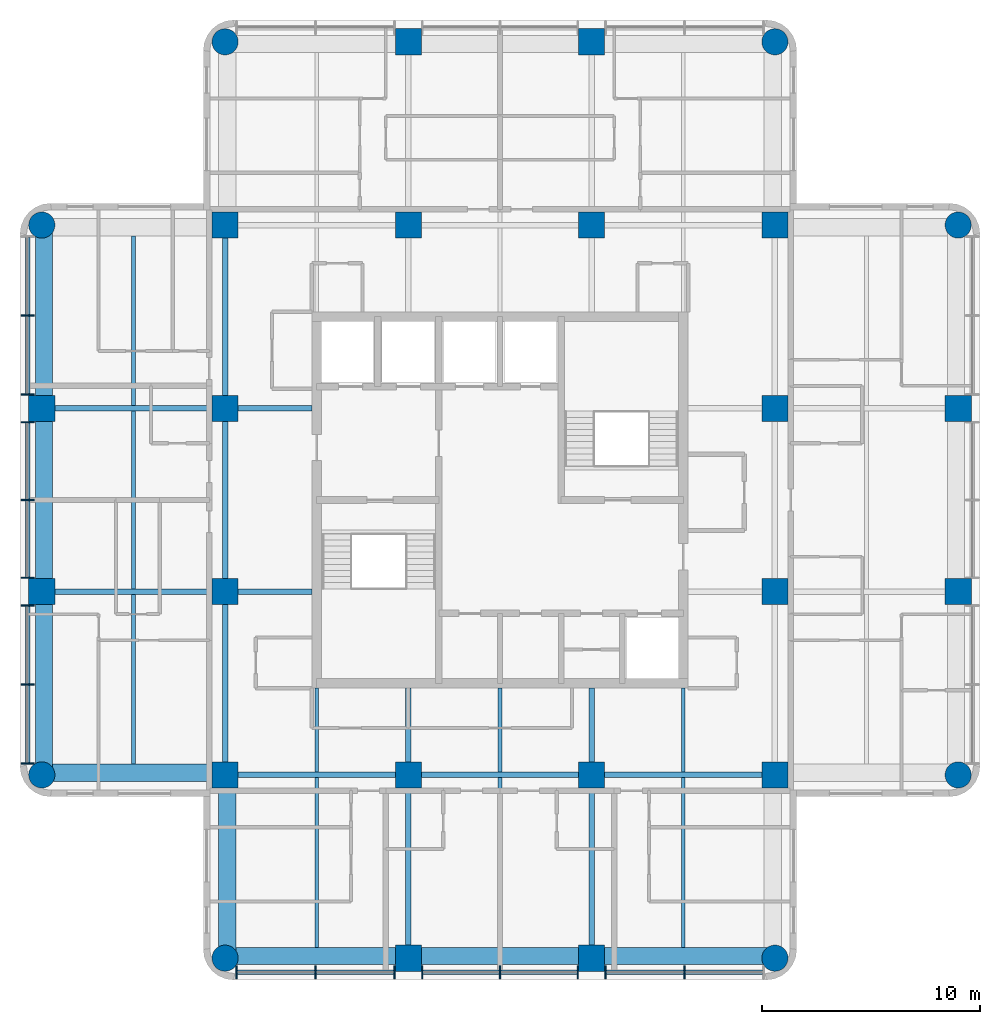
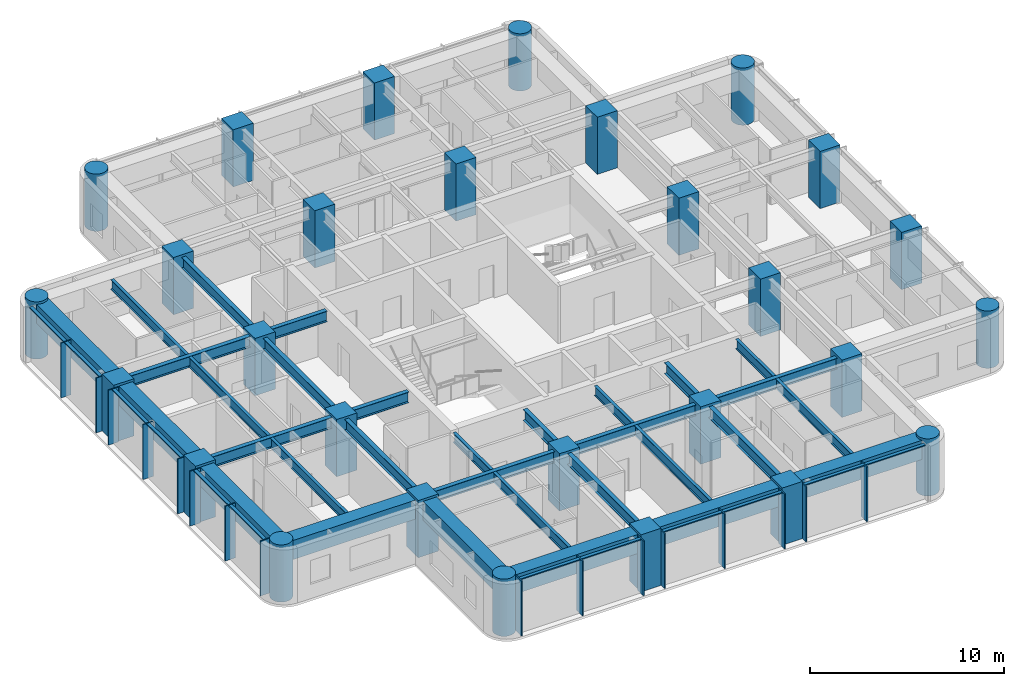
# One storey, part 1 of 10: 31 beams, 28 columns, 28 members, 2 elements without a shape of their own.
"""IFC4 building model written with IfcOpenShell, lengths in metres."""

from ifc_helpers import new_model, si_unit, direction, frame, origin, origin_2d, place, context, subcontext, project, spatial, rectangle, circle, i_section, extrude, material, material_profile, profile_set, type_object, element, aggregate, save


model = new_model("IFC4")

# Units and contexts
model_context = context("Model", 3, precision=1e-05, world=origin(), true_north=direction((0.0, 1.0)))
body_context = subcontext(model_context, "Body", "Model", "MODEL_VIEW")
ifc_project = project(units=[si_unit("LENGTHUNIT", "METRE"), si_unit("AREAUNIT", "SQUARE_METRE"), si_unit("VOLUMEUNIT", "CUBIC_METRE"), si_unit("PLANEANGLEUNIT", "RADIAN"), si_unit("MASSUNIT", "GRAM", prefix="KILO")], contexts=[model_context])

# Site, building, storey
site_placement = place(None, origin())
site = spatial("IfcSite", under=ifc_project, at=site_placement, CompositionType="ELEMENT")
building_placement = place(site_placement, origin())
building = spatial("IfcBuilding", under=site, at=building_placement, Name="Torre Alcanfor", CompositionType="ELEMENT")
storey_placement = place(building_placement, frame((0.0, 0.0, 286.5)))
storey = spatial("IfcBuildingStorey", under=building, at=storey_placement, Name="L75", CompositionType="ELEMENT", Elevation=286.5)

# Columns
ifc_material_1 = material(Name="Concrete f'c 70 MPa", Category="concrete")
ifc_material_profile_1 = material_profile(ifc_material_1, rectangle(XDim=1.199951171875, YDim=1.199951171875, at=origin_2d()), Name="1200x1200")
ifc_profile_set_1 = profile_set([ifc_material_profile_1], Name="Concrete f'c 70 MPa")
column_type_1 = type_object("IfcColumnType", Name="RC column 1200x1200 f'c70", PredefinedType="COLUMN", material=ifc_profile_set_1)
for number, where, z_axis, x_axis, name in (
    (1, (8.39990234375, 25.199951171875, 0.0), (0.0, 0.0, 1.0), (1.0, 0.0, 0.0), "Column 2/F L75"),
    (2, (8.39990234375, 33.60009765625, 0.0), (0.0, 0.0, 1.0), (1.0, 0.0, 0.0), "Column 2/G L75"),
    (3, (16.800048828125, 16.800048828125, 0.0), (0.0, 0.0, 1.0), (1.0, 0.0, 0.0), "Column 3/E L75"),
    (4, (16.800048828125, 25.199951171875, 0.0), (0.0, 0.0, 1.0), (1.0, 0.0, 0.0), "Column 3/F L75"),
    (5, (16.800048828125, 33.60009765625, 0.0), (0.0, 0.0, 1.0), (1.0, 0.0, 0.0), "Column 3/G L75"),
    (6, (16.800048828125, 42.0, 0.0), (0.0, 0.0, 1.0), (1.0, 0.0, 0.0), "Column 3/H L75"),
    (7, (25.199951171875, 8.39990234375, 0.0), (0.0, 0.0, 1.0), (1.0, 0.0, 0.0), "Column 4/D L75"),
    (8, (25.199951171875, 16.800048828125, 0.0), (0.0, 0.0, 1.0), (1.0, 0.0, 0.0), "Column 4/E L75"),
    (9, (25.199951171875, 42.0, 0.0), (0.0, 0.0, 1.0), (1.0, 0.0, 0.0), "Column 4/H L75"),
    (10, (25.199951171875, 50.39990234375, 0.0), (0.0, 0.0, 1.0), (1.0, 0.0, 0.0), "Column 4/J L75"),
    (11, (33.60009765625, 8.39990234375, 0.0), (0.0, 0.0, 1.0), (1.0, 0.0, 0.0), "Column 5/D L75"),
    (12, (33.60009765625, 16.800048828125, 0.0), (0.0, 0.0, 1.0), (1.0, 0.0, 0.0), "Column 5/E L75"),
    (13, (33.60009765625, 42.0, 0.0), (0.0, 0.0, 1.0), (1.0, 0.0, 0.0), "Column 5/H L75"),
    (14, (33.60009765625, 50.39990234375, 0.0), (0.0, 0.0, 1.0), (1.0, 0.0, 0.0), "Column 5/J L75"),
    (15, (42.0, 16.800048828125, 0.0), (0.0, 0.0, 1.0), (1.0, 0.0, 0.0), "Column 6/E L75"),
    (16, (42.0, 25.199951171875, 0.0), (0.0, 0.0, 1.0), (1.0, 0.0, 0.0), "Column 6/F L75"),
    (17, (42.0, 33.60009765625, 0.0), (0.0, 0.0, 1.0), (1.0, 0.0, 0.0), "Column 6/G L75"),
    (18, (42.0, 42.0, 0.0), (0.0, 0.0, 1.0), (1.0, 0.0, 0.0), "Column 6/H L75"),
    (19, (50.39990234375, 25.199951171875, 0.0), (0.0, 0.0, 1.0), (1.0, 0.0, 0.0), "Column 7/F L75"),
    (20, (50.39990234375, 33.60009765625, 0.0), (0.0, 0.0, 1.0), (1.0, 0.0, 0.0), "Column 7/G L75"),
):
    element("IfcColumn", number, at=place(storey_placement, frame(where, z_axis=z_axis, x_axis=x_axis)), inside=storey, type_object=column_type_1, Name=name, PredefinedType="COLUMN", context=body_context, shape_type="SweptSolid", body=[
        extrude(rectangle(XDim=1.199951171875, YDim=1.199951171875, at=origin_2d()), origin(), (0.0, 0.0, 1.0), 3.60009765625),
    ])
ifc_material_2 = material(Name="Concrete f'c 70 MPa", Category="concrete")
ifc_material_profile_2 = material_profile(ifc_material_2, circle(Radius=0.60009765625, at=origin_2d()), Name="D1200")
ifc_profile_set_2 = profile_set([ifc_material_profile_2], Name="Concrete f'c 70 MPa")
column_type_2 = type_object("IfcColumnType", Name="RC column D1200 f'c70", PredefinedType="COLUMN", material=ifc_profile_set_2)
for number, where, z_axis, x_axis, name in (
    (21, (8.39990234375, 16.800048828125, 0.0), (0.0, 0.0, 1.0), (1.0, 0.0, 0.0), "Column 2/E L75"),
    (22, (8.39990234375, 42.0, 0.0), (0.0, 0.0, 1.0), (1.0, 0.0, 0.0), "Column 2/H L75"),
    (23, (16.800048828125, 8.39990234375, 0.0), (0.0, 0.0, 1.0), (1.0, 0.0, 0.0), "Column 3/D L75"),
    (24, (16.800048828125, 50.39990234375, 0.0), (0.0, 0.0, 1.0), (1.0, 0.0, 0.0), "Column 3/J L75"),
    (25, (42.0, 8.39990234375, 0.0), (0.0, 0.0, 1.0), (1.0, 0.0, 0.0), "Column 6/D L75"),
    (26, (42.0, 50.39990234375, 0.0), (0.0, 0.0, 1.0), (1.0, 0.0, 0.0), "Column 6/J L75"),
    (27, (50.39990234375, 16.800048828125, 0.0), (0.0, 0.0, 1.0), (1.0, 0.0, 0.0), "Column 7/E L75"),
    (28, (50.39990234375, 42.0, 0.0), (0.0, 0.0, 1.0), (1.0, 0.0, 0.0), "Column 7/H L75"),
):
    element("IfcColumn", number, at=place(storey_placement, frame(where, z_axis=z_axis, x_axis=x_axis)), inside=storey, type_object=column_type_2, Name=name, PredefinedType="COLUMN", context=body_context, shape_type="SweptSolid", body=[
        extrude(circle(Radius=0.60009765625, at=origin_2d()), origin(), (0.0, 0.0, 1.0), 3.60009765625),
    ])

# Curtain wall, members
ifc_material_3 = material(Name="Aluminium and glass", Category="aluminium")
curtain_wall_type = type_object("IfcCurtainWallType", Name="CW-A unitised apartment glazing with vertical FIN", PredefinedType="NOTDEFINED", material=ifc_material_3)
curtain_wall_1_placement = place(storey_placement, origin())
curtain_wall_1 = element("IfcCurtainWall", 29, at=curtain_wall_1_placement, inside=storey, type_object=curtain_wall_type, Name="Curtain wall CW-A L75 2", PredefinedType="NOTDEFINED")
ifc_material_4 = material(Name="Bronze anodised aluminium", Category="aluminium")
ifc_material_profile_3 = material_profile(ifc_material_4, rectangle(XDim=0.60009765625, YDim=0.06494140625, at=origin_2d()), Name="CW-A mullion 65x600")
ifc_profile_set_3 = profile_set([ifc_material_profile_3], Name="Bronze anodised aluminium")
member_type_1 = type_object("IfcMemberType", Name="CW-A mullion with vertical FIN 65x600", PredefinedType="MULLION", material=ifc_profile_set_3)
member_1_placement = place(storey_placement, frame((7.75, 37.855712890625, 0.0), z_axis=(0.0, 0.0, 1.0), x_axis=(1.0, 0.0, 0.0)))
member_1 = element("IfcMember", 30, at=member_1_placement, type_object=member_type_1, Name="CW-A mullion 1.2", PredefinedType="MULLION", context=body_context, shape_type="SweptSolid", body=[
    extrude(rectangle(XDim=0.60009765625, YDim=0.06494140625, at=origin_2d()), origin(), (0.0, 0.0, 1.0), 3.449951171875),
])
member_2_placement = place(storey_placement, frame((7.75, 34.237548828125, 0.0), z_axis=(0.0, 0.0, 1.0), x_axis=(1.0, 0.0, 0.0)))
member_2 = element("IfcMember", 31, at=member_2_placement, type_object=member_type_1, Name="CW-A mullion 1.3", PredefinedType="MULLION", context=body_context, shape_type="SweptSolid", body=[
    extrude(rectangle(XDim=0.60009765625, YDim=0.06494140625, at=origin_2d()), origin(), (0.0, 0.0, 1.0), 3.449951171875),
])
member_3_placement = place(storey_placement, frame((7.75, 32.96240234375, 0.0), z_axis=(0.0, 0.0, 1.0), x_axis=(1.0, 0.0, 0.0)))
member_3 = element("IfcMember", 32, at=member_3_placement, type_object=member_type_1, Name="CW-A mullion 2.1", PredefinedType="MULLION", context=body_context, shape_type="SweptSolid", body=[
    extrude(rectangle(XDim=0.60009765625, YDim=0.06494140625, at=origin_2d()), origin(), (0.0, 0.0, 1.0), 3.449951171875),
])
member_4_placement = place(storey_placement, frame((7.75, 29.39990234375, 0.0), z_axis=(0.0, 0.0, 1.0), x_axis=(1.0, 0.0, 0.0)))
member_4 = element("IfcMember", 33, at=member_4_placement, type_object=member_type_1, Name="CW-A mullion 2.2", PredefinedType="MULLION", context=body_context, shape_type="SweptSolid", body=[
    extrude(rectangle(XDim=0.60009765625, YDim=0.06494140625, at=origin_2d()), origin(), (0.0, 0.0, 1.0), 3.449951171875),
])
member_5_placement = place(storey_placement, frame((7.75, 25.83740234375, 0.0), z_axis=(0.0, 0.0, 1.0), x_axis=(1.0, 0.0, 0.0)))
member_5 = element("IfcMember", 34, at=member_5_placement, type_object=member_type_1, Name="CW-A mullion 2.3", PredefinedType="MULLION", context=body_context, shape_type="SweptSolid", body=[
    extrude(rectangle(XDim=0.60009765625, YDim=0.06494140625, at=origin_2d()), origin(), (0.0, 0.0, 1.0), 3.449951171875),
])
member_6_placement = place(storey_placement, frame((7.75, 24.5625, 0.0), z_axis=(0.0, 0.0, 1.0), x_axis=(1.0, 0.0, 0.0)))
member_6 = element("IfcMember", 35, at=member_6_placement, type_object=member_type_1, Name="CW-A mullion 3.1", PredefinedType="MULLION", context=body_context, shape_type="SweptSolid", body=[
    extrude(rectangle(XDim=0.60009765625, YDim=0.06494140625, at=origin_2d()), origin(), (0.0, 0.0, 1.0), 3.449951171875),
])
member_7_placement = place(storey_placement, frame((7.75, 20.9443359375, 0.0), z_axis=(0.0, 0.0, 1.0), x_axis=(1.0, 0.0, 0.0)))
member_7 = element("IfcMember", 36, at=member_7_placement, type_object=member_type_1, Name="CW-A mullion 3.2", PredefinedType="MULLION", context=body_context, shape_type="SweptSolid", body=[
    extrude(rectangle(XDim=0.60009765625, YDim=0.06494140625, at=origin_2d()), origin(), (0.0, 0.0, 1.0), 3.449951171875),
])
member_8_placement = place(storey_placement, frame((7.75, 17.325927734375, 0.0), z_axis=(0.0, 0.0, 1.0), x_axis=(1.0, 0.0, 0.0)))
member_8 = element("IfcMember", 37, at=member_8_placement, type_object=member_type_1, Name="CW-A mullion 3.3", PredefinedType="MULLION", context=body_context, shape_type="SweptSolid", body=[
    extrude(rectangle(XDim=0.60009765625, YDim=0.06494140625, at=origin_2d()), origin(), (0.0, 0.0, 1.0), 3.449951171875),
])

curtain_wall_2_placement = place(storey_placement, origin())
curtain_wall_2 = element("IfcCurtainWall", 38, at=curtain_wall_2_placement, inside=storey, type_object=curtain_wall_type, Name="Curtain wall CW-A L75 5", PredefinedType="NOTDEFINED")
member_9_placement = place(storey_placement, frame((17.325927734375, 7.75, 0.0), z_axis=(0.0, 0.0, 1.0), x_axis=(0.0, 1.0, 0.0)))
member_9 = element("IfcMember", 39, at=member_9_placement, type_object=member_type_1, Name="CW-A mullion 1.1", PredefinedType="MULLION", context=body_context, shape_type="SweptSolid", body=[
    extrude(rectangle(XDim=0.60009765625, YDim=0.06494140625, at=origin_2d()), origin(), (0.0, 0.0, 1.0), 3.449951171875),
])
member_10_placement = place(storey_placement, frame((20.9443359375, 7.75, 0.0), z_axis=(0.0, 0.0, 1.0), x_axis=(0.0, 1.0, 0.0)))
member_10 = element("IfcMember", 40, at=member_10_placement, type_object=member_type_1, Name="CW-A mullion 1.2", PredefinedType="MULLION", context=body_context, shape_type="SweptSolid", body=[
    extrude(rectangle(XDim=0.60009765625, YDim=0.06494140625, at=origin_2d()), origin(), (0.0, 0.0, 1.0), 3.449951171875),
])
member_11_placement = place(storey_placement, frame((24.5625, 7.75, 0.0), z_axis=(0.0, 0.0, 1.0), x_axis=(0.0, 1.0, 0.0)))
member_11 = element("IfcMember", 41, at=member_11_placement, type_object=member_type_1, Name="CW-A mullion 1.3", PredefinedType="MULLION", context=body_context, shape_type="SweptSolid", body=[
    extrude(rectangle(XDim=0.60009765625, YDim=0.06494140625, at=origin_2d()), origin(), (0.0, 0.0, 1.0), 3.449951171875),
])
member_12_placement = place(storey_placement, frame((25.83740234375, 7.75, 0.0), z_axis=(0.0, 0.0, 1.0), x_axis=(0.0, 1.0, 0.0)))
member_12 = element("IfcMember", 42, at=member_12_placement, type_object=member_type_1, Name="CW-A mullion 2.1", PredefinedType="MULLION", context=body_context, shape_type="SweptSolid", body=[
    extrude(rectangle(XDim=0.60009765625, YDim=0.06494140625, at=origin_2d()), origin(), (0.0, 0.0, 1.0), 3.449951171875),
])
member_13_placement = place(storey_placement, frame((29.39990234375, 7.75, 0.0), z_axis=(0.0, 0.0, 1.0), x_axis=(0.0, 1.0, 0.0)))
member_13 = element("IfcMember", 43, at=member_13_placement, type_object=member_type_1, Name="CW-A mullion 2.2", PredefinedType="MULLION", context=body_context, shape_type="SweptSolid", body=[
    extrude(rectangle(XDim=0.60009765625, YDim=0.06494140625, at=origin_2d()), origin(), (0.0, 0.0, 1.0), 3.449951171875),
])
member_14_placement = place(storey_placement, frame((32.96240234375, 7.75, 0.0), z_axis=(0.0, 0.0, 1.0), x_axis=(0.0, 1.0, 0.0)))
member_14 = element("IfcMember", 44, at=member_14_placement, type_object=member_type_1, Name="CW-A mullion 2.3", PredefinedType="MULLION", context=body_context, shape_type="SweptSolid", body=[
    extrude(rectangle(XDim=0.60009765625, YDim=0.06494140625, at=origin_2d()), origin(), (0.0, 0.0, 1.0), 3.449951171875),
])
member_15_placement = place(storey_placement, frame((34.237548828125, 7.75, 0.0), z_axis=(0.0, 0.0, 1.0), x_axis=(0.0, 1.0, 0.0)))
member_15 = element("IfcMember", 45, at=member_15_placement, type_object=member_type_1, Name="CW-A mullion 3.1", PredefinedType="MULLION", context=body_context, shape_type="SweptSolid", body=[
    extrude(rectangle(XDim=0.60009765625, YDim=0.06494140625, at=origin_2d()), origin(), (0.0, 0.0, 1.0), 3.449951171875),
])
member_16_placement = place(storey_placement, frame((37.855712890625, 7.75, 0.0), z_axis=(0.0, 0.0, 1.0), x_axis=(0.0, 1.0, 0.0)))
member_16 = element("IfcMember", 46, at=member_16_placement, type_object=member_type_1, Name="CW-A mullion 3.2", PredefinedType="MULLION", context=body_context, shape_type="SweptSolid", body=[
    extrude(rectangle(XDim=0.60009765625, YDim=0.06494140625, at=origin_2d()), origin(), (0.0, 0.0, 1.0), 3.449951171875),
])

# Member
ifc_material_5 = material(Name="Extruded aluminium", Category="aluminium")
ifc_material_profile_4 = material_profile(ifc_material_5, rectangle(XDim=0.199951171875, YDim=0.06494140625, at=origin_2d()), Name="CW-A transom 200x65")
ifc_profile_set_4 = profile_set([ifc_material_profile_4], Name="Extruded aluminium")
member_type_2 = type_object("IfcMemberType", Name="CW-A transom 65x200", PredefinedType="USERDEFINED", material=ifc_profile_set_4)
member_17_placement = place(storey_placement, frame((7.75, 41.44140625, 3.41748046875), z_axis=(0.0, -1.0, 0.0), x_axis=(1.0, 0.0, 0.0)))
member_17 = element("IfcMember", 47, at=member_17_placement, type_object=member_type_2, Name="CW-A transom 1.1.2", ObjectType="TRANSOM", PredefinedType="USERDEFINED", context=body_context, shape_type="SweptSolid", body=[
    extrude(rectangle(XDim=0.199951171875, YDim=0.06494140625, at=origin_2d()), origin(), (0.0, 0.0, 1.0), 3.55322265625),
])

member_18_placement = place(storey_placement, frame((7.75, 37.8232421875, 3.41748046875), z_axis=(0.0, -1.0, 0.0), x_axis=(1.0, 0.0, 0.0)))
member_18 = element("IfcMember", 48, at=member_18_placement, type_object=member_type_2, Name="CW-A transom 1.2.2", ObjectType="TRANSOM", PredefinedType="USERDEFINED", context=body_context, shape_type="SweptSolid", body=[
    extrude(rectangle(XDim=0.199951171875, YDim=0.06494140625, at=origin_2d()), origin(), (0.0, 0.0, 1.0), 3.55322265625),
])

member_19_placement = place(storey_placement, frame((7.75, 32.929931640625, 3.41748046875), z_axis=(0.0, -1.0, 0.0), x_axis=(1.0, 0.0, 0.0)))
member_19 = element("IfcMember", 49, at=member_19_placement, type_object=member_type_2, Name="CW-A transom 2.1.2", ObjectType="TRANSOM", PredefinedType="USERDEFINED", context=body_context, shape_type="SweptSolid", body=[
    extrude(rectangle(XDim=0.199951171875, YDim=0.06494140625, at=origin_2d()), origin(), (0.0, 0.0, 1.0), 3.497314453125),
])

member_20_placement = place(storey_placement, frame((7.75, 29.367431640625, 3.41748046875), z_axis=(0.0, -1.0, 0.0), x_axis=(1.0, 0.0, 0.0)))
member_20 = element("IfcMember", 50, at=member_20_placement, type_object=member_type_2, Name="CW-A transom 2.2.2", ObjectType="TRANSOM", PredefinedType="USERDEFINED", context=body_context, shape_type="SweptSolid", body=[
    extrude(rectangle(XDim=0.199951171875, YDim=0.06494140625, at=origin_2d()), origin(), (0.0, 0.0, 1.0), 3.497314453125),
])

member_21_placement = place(storey_placement, frame((7.75, 24.530029296875, 3.41748046875), z_axis=(0.0, -1.0, 0.0), x_axis=(1.0, 0.0, 0.0)))
member_21 = element("IfcMember", 51, at=member_21_placement, type_object=member_type_2, Name="CW-A transom 3.1.2", ObjectType="TRANSOM", PredefinedType="USERDEFINED", context=body_context, shape_type="SweptSolid", body=[
    extrude(rectangle(XDim=0.199951171875, YDim=0.06494140625, at=origin_2d()), origin(), (0.0, 0.0, 1.0), 3.55322265625),
])

member_22_placement = place(storey_placement, frame((7.75, 20.911865234375, 3.41748046875), z_axis=(0.0, -1.0, 0.0), x_axis=(1.0, 0.0, 0.0)))
member_22 = element("IfcMember", 52, at=member_22_placement, type_object=member_type_2, Name="CW-A transom 3.2.2", ObjectType="TRANSOM", PredefinedType="USERDEFINED", context=body_context, shape_type="SweptSolid", body=[
    extrude(rectangle(XDim=0.199951171875, YDim=0.06494140625, at=origin_2d()), origin(), (0.0, 0.0, 1.0), 3.553466796875),
])

aggregate(curtain_wall_1, [member_1, member_2, member_17, member_18, member_3, member_4, member_5, member_19, member_20, member_6, member_7, member_8, member_21, member_22])

member_23_placement = place(storey_placement, frame((17.3583984375, 7.75, 3.41748046875), z_axis=(1.0, 0.0, 0.0), x_axis=(0.0, 1.0, 0.0)))
member_23 = element("IfcMember", 53, at=member_23_placement, type_object=member_type_2, Name="CW-A transom 1.1.2", ObjectType="TRANSOM", PredefinedType="USERDEFINED", context=body_context, shape_type="SweptSolid", body=[
    extrude(rectangle(XDim=0.199951171875, YDim=0.06494140625, at=origin_2d()), origin(), (0.0, 0.0, 1.0), 3.553466796875),
])

member_24_placement = place(storey_placement, frame((20.976806640625, 7.75, 3.41748046875), z_axis=(1.0, 0.0, 0.0), x_axis=(0.0, 1.0, 0.0)))
member_24 = element("IfcMember", 54, at=member_24_placement, type_object=member_type_2, Name="CW-A transom 1.2.2", ObjectType="TRANSOM", PredefinedType="USERDEFINED", context=body_context, shape_type="SweptSolid", body=[
    extrude(rectangle(XDim=0.199951171875, YDim=0.06494140625, at=origin_2d()), origin(), (0.0, 0.0, 1.0), 3.55322265625),
])

member_25_placement = place(storey_placement, frame((25.8701171875, 7.75, 3.41748046875), z_axis=(1.0, 0.0, 0.0), x_axis=(0.0, 1.0, 0.0)))
member_25 = element("IfcMember", 55, at=member_25_placement, type_object=member_type_2, Name="CW-A transom 2.1.2", ObjectType="TRANSOM", PredefinedType="USERDEFINED", context=body_context, shape_type="SweptSolid", body=[
    extrude(rectangle(XDim=0.199951171875, YDim=0.06494140625, at=origin_2d()), origin(), (0.0, 0.0, 1.0), 3.497314453125),
])

member_26_placement = place(storey_placement, frame((29.4326171875, 7.75, 3.41748046875), z_axis=(1.0, 0.0, 0.0), x_axis=(0.0, 1.0, 0.0)))
member_26 = element("IfcMember", 56, at=member_26_placement, type_object=member_type_2, Name="CW-A transom 2.2.2", ObjectType="TRANSOM", PredefinedType="USERDEFINED", context=body_context, shape_type="SweptSolid", body=[
    extrude(rectangle(XDim=0.199951171875, YDim=0.06494140625, at=origin_2d()), origin(), (0.0, 0.0, 1.0), 3.497314453125),
])

member_27_placement = place(storey_placement, frame((34.27001953125, 7.75, 3.41748046875), z_axis=(1.0, 0.0, 0.0), x_axis=(0.0, 1.0, 0.0)))
member_27 = element("IfcMember", 57, at=member_27_placement, type_object=member_type_2, Name="CW-A transom 3.1.2", ObjectType="TRANSOM", PredefinedType="USERDEFINED", context=body_context, shape_type="SweptSolid", body=[
    extrude(rectangle(XDim=0.199951171875, YDim=0.06494140625, at=origin_2d()), origin(), (0.0, 0.0, 1.0), 3.55322265625),
])

member_28_placement = place(storey_placement, frame((37.88818359375, 7.75, 3.41748046875), z_axis=(1.0, 0.0, 0.0), x_axis=(0.0, 1.0, 0.0)))
member_28 = element("IfcMember", 58, at=member_28_placement, type_object=member_type_2, Name="CW-A transom 3.2.2", ObjectType="TRANSOM", PredefinedType="USERDEFINED", context=body_context, shape_type="SweptSolid", body=[
    extrude(rectangle(XDim=0.199951171875, YDim=0.06494140625, at=origin_2d()), origin(), (0.0, 0.0, 1.0), 3.55322265625),
])

aggregate(curtain_wall_2, [member_9, member_10, member_11, member_23, member_24, member_12, member_13, member_14, member_25, member_26, member_15, member_16, member_27, member_28])

# Beams
ifc_material_6 = material(Name="Steel ASTM A992 Grade 50", Category="steel")
ifc_material_profile_5 = material_profile(ifc_material_6, i_section(OverallWidth=0.25390625, OverallDepth=0.683349609375, WebThickness=0.012451171875, FlangeThickness=0.01904296875, at=origin_2d()), Name="W27x94")
ifc_profile_set_5 = profile_set([ifc_material_profile_5], Name="Steel ASTM A992 Grade 50")
beam_type_1 = type_object("IfcBeamType", Name="Girder W27x94", PredefinedType="BEAM", material=ifc_profile_set_5)
beam_1_placement = place(storey_placement, frame((16.800048828125, 16.800048828125, 3.1083984375), z_axis=(1.0, 0.0, 0.0), x_axis=(0.0, 1.0, 0.0)))
element("IfcBeam", 59, at=beam_1_placement, inside=storey, type_object=beam_type_1, Name="Beam 3E-4E under L76", PredefinedType="BEAM", context=body_context, shape_type="SweptSolid", body=[
    extrude(i_section(OverallWidth=0.25390625, OverallDepth=0.683349609375, WebThickness=0.012451171875, FlangeThickness=0.01904296875, at=origin_2d()), origin(), (0.0, 0.0, 1.0), 8.39990234375),
])
beam_2_placement = place(storey_placement, frame((25.199951171875, 16.800048828125, 3.1083984375), z_axis=(1.0, 0.0, 0.0), x_axis=(0.0, 1.0, 0.0)))
element("IfcBeam", 60, at=beam_2_placement, inside=storey, type_object=beam_type_1, Name="Beam 4E-5E under L76", PredefinedType="BEAM", context=body_context, shape_type="SweptSolid", body=[
    extrude(i_section(OverallWidth=0.25390625, OverallDepth=0.683349609375, WebThickness=0.012451171875, FlangeThickness=0.01904296875, at=origin_2d()), origin(), (0.0, 0.0, 1.0), 8.400146484375),
])
beam_3_placement = place(storey_placement, frame((33.60009765625, 16.800048828125, 3.1083984375), z_axis=(1.0, 0.0, 0.0), x_axis=(0.0, 1.0, 0.0)))
element("IfcBeam", 61, at=beam_3_placement, inside=storey, type_object=beam_type_1, Name="Beam 5E-6E under L76", PredefinedType="BEAM", context=body_context, shape_type="SweptSolid", body=[
    extrude(i_section(OverallWidth=0.25390625, OverallDepth=0.683349609375, WebThickness=0.012451171875, FlangeThickness=0.01904296875, at=origin_2d()), origin(), (0.0, 0.0, 1.0), 8.39990234375),
])
for number, where, z_axis, x_axis, name in (
    (62, (8.39990234375, 25.199951171875, 3.1083984375), (1.0, 0.0, 0.0), (0.0, 1.0, 0.0), "Beam 2F-3F under L76"),
    (63, (8.39990234375, 33.60009765625, 3.1083984375), (1.0, 0.0, 0.0), (0.0, 1.0, 0.0), "Beam 2G-3G under L76"),
):
    element("IfcBeam", number, at=place(storey_placement, frame(where, z_axis=z_axis, x_axis=x_axis)), inside=storey, type_object=beam_type_1, Name=name, PredefinedType="BEAM", context=body_context, shape_type="SweptSolid", body=[
        extrude(i_section(OverallWidth=0.25390625, OverallDepth=0.683349609375, WebThickness=0.012451171875, FlangeThickness=0.01904296875, at=origin_2d()), origin(), (0.0, 0.0, 1.0), 8.400146484375),
    ])
beam_4_placement = place(storey_placement, frame((16.800048828125, 16.800048828125, 3.1083984375), z_axis=(0.0, 1.0, 0.0), x_axis=(-1.0, 0.0, 0.0)))
element("IfcBeam", 64, at=beam_4_placement, inside=storey, type_object=beam_type_1, Name="Beam 3E-3F under L76", PredefinedType="BEAM", context=body_context, shape_type="SweptSolid", body=[
    extrude(i_section(OverallWidth=0.25390625, OverallDepth=0.683349609375, WebThickness=0.012451171875, FlangeThickness=0.01904296875, at=origin_2d()), origin(), (0.0, 0.0, 1.0), 8.39990234375),
])
beam_5_placement = place(storey_placement, frame((16.800048828125, 25.199951171875, 3.1083984375), z_axis=(0.0, 1.0, 0.0), x_axis=(-1.0, 0.0, 0.0)))
element("IfcBeam", 65, at=beam_5_placement, inside=storey, type_object=beam_type_1, Name="Beam 3F-3G under L76", PredefinedType="BEAM", context=body_context, shape_type="SweptSolid", body=[
    extrude(i_section(OverallWidth=0.25390625, OverallDepth=0.683349609375, WebThickness=0.012451171875, FlangeThickness=0.01904296875, at=origin_2d()), origin(), (0.0, 0.0, 1.0), 8.400146484375),
])
beam_6_placement = place(storey_placement, frame((16.800048828125, 33.60009765625, 3.1083984375), z_axis=(0.0, 1.0, 0.0), x_axis=(-1.0, 0.0, 0.0)))
element("IfcBeam", 66, at=beam_6_placement, inside=storey, type_object=beam_type_1, Name="Beam 3G-3H under L76", PredefinedType="BEAM", context=body_context, shape_type="SweptSolid", body=[
    extrude(i_section(OverallWidth=0.25390625, OverallDepth=0.683349609375, WebThickness=0.012451171875, FlangeThickness=0.01904296875, at=origin_2d()), origin(), (0.0, 0.0, 1.0), 8.39990234375),
])
for number, where, z_axis, x_axis, name in (
    (67, (25.199951171875, 8.39990234375, 3.1083984375), (0.0, 1.0, 0.0), (-1.0, 0.0, 0.0), "Beam 4D-4E under L76"),
    (68, (33.60009765625, 8.39990234375, 3.1083984375), (0.0, 1.0, 0.0), (-1.0, 0.0, 0.0), "Beam 5D-5E under L76"),
):
    element("IfcBeam", number, at=place(storey_placement, frame(where, z_axis=z_axis, x_axis=x_axis)), inside=storey, type_object=beam_type_1, Name=name, PredefinedType="BEAM", context=body_context, shape_type="SweptSolid", body=[
        extrude(i_section(OverallWidth=0.25390625, OverallDepth=0.683349609375, WebThickness=0.012451171875, FlangeThickness=0.01904296875, at=origin_2d()), origin(), (0.0, 0.0, 1.0), 8.400146484375),
    ])
ifc_material_7 = material(Name="Steel ASTM A992 Grade 50", Category="steel")
ifc_material_profile_6 = material_profile(ifc_material_7, i_section(OverallWidth=0.25390625, OverallDepth=0.683349609375, WebThickness=0.012451171875, FlangeThickness=0.01904296875, at=origin_2d()), Name="W27x94")
ifc_profile_set_6 = profile_set([ifc_material_profile_6], Name="Steel ASTM A992 Grade 50")
beam_type_2 = type_object("IfcBeamType", Name="Girder, part bay W27x94", PredefinedType="BEAM", material=ifc_profile_set_6)
for number, where, z_axis, x_axis, name in (
    (69, (25.199951171875, 16.800048828125, 3.1083984375), (0.0, 1.0, 0.0), (-1.0, 0.0, 0.0), "Beam 4E-420_775 under L76"),
    (70, (33.60009765625, 16.800048828125, 3.1083984375), (0.0, 1.0, 0.0), (-1.0, 0.0, 0.0), "Beam 5E-520_775 under L76"),
    (71, (16.800048828125, 25.199951171875, 3.1083984375), (1.0, 0.0, 0.0), (0.0, 1.0, 0.0), "Beam 3F-20_775F under L76"),
    (72, (16.800048828125, 33.60009765625, 3.1083984375), (1.0, 0.0, 0.0), (0.0, 1.0, 0.0), "Beam 3G-20_775G under L76"),
):
    element("IfcBeam", number, at=place(storey_placement, frame(where, z_axis=z_axis, x_axis=x_axis)), inside=storey, type_object=beam_type_2, Name=name, PredefinedType="BEAM", context=body_context, shape_type="SweptSolid", body=[
        extrude(i_section(OverallWidth=0.25390625, OverallDepth=0.683349609375, WebThickness=0.012451171875, FlangeThickness=0.01904296875, at=origin_2d()), origin(), (0.0, 0.0, 1.0), 3.974853515625),
    ])
ifc_material_8 = material(Name="Concrete f'c 70 MPa", Category="concrete")
ifc_material_profile_7 = material_profile(ifc_material_8, rectangle(XDim=0.800048828125, YDim=1.199951171875, at=origin_2d()), Name="800x1200")
ifc_profile_set_7 = profile_set([ifc_material_profile_7], Name="Concrete f'c 70 MPa")
beam_type_3 = type_object("IfcBeamType", Name="RC perimeter beam 800x1200", PredefinedType="BEAM", material=ifc_profile_set_7)
beam_7_placement = place(storey_placement, frame((16.800048828125, 8.5, 2.85009765625), z_axis=(1.0, 0.0, 0.0), x_axis=(0.0, 1.0, 0.0)))
element("IfcBeam", 73, at=beam_7_placement, inside=storey, type_object=beam_type_3, Name="Beam 3D-4D under L76", PredefinedType="BEAM", context=body_context, shape_type="SweptSolid", body=[
    extrude(rectangle(XDim=0.800048828125, YDim=1.199951171875, at=origin_2d()), origin(), (0.0, 0.0, 1.0), 8.27294921875),
])
beam_8_placement = place(storey_placement, frame((25.326904296875, 8.5, 2.85009765625), z_axis=(1.0, 0.0, 0.0), x_axis=(0.0, 1.0, 0.0)))
element("IfcBeam", 74, at=beam_8_placement, inside=storey, type_object=beam_type_3, Name="Beam 4D-5D under L76", PredefinedType="BEAM", context=body_context, shape_type="SweptSolid", body=[
    extrude(rectangle(XDim=0.800048828125, YDim=1.199951171875, at=origin_2d()), origin(), (0.0, 0.0, 1.0), 8.14599609375),
])
beam_9_placement = place(storey_placement, frame((33.72705078125, 8.5, 2.85009765625), z_axis=(1.0, 0.0, 0.0), x_axis=(0.0, 1.0, 0.0)))
element("IfcBeam", 75, at=beam_9_placement, inside=storey, type_object=beam_type_3, Name="Beam 5D-6D under L76", PredefinedType="BEAM", context=body_context, shape_type="SweptSolid", body=[
    extrude(rectangle(XDim=0.800048828125, YDim=1.199951171875, at=origin_2d()), origin(), (0.0, 0.0, 1.0), 8.27294921875),
])
beam_10_placement = place(storey_placement, frame((8.39990234375, 16.89990234375, 2.85009765625), z_axis=(1.0, 0.0, 0.0), x_axis=(0.0, 1.0, 0.0)))
element("IfcBeam", 76, at=beam_10_placement, inside=storey, type_object=beam_type_3, Name="Beam 2E-3E under L76", PredefinedType="BEAM", context=body_context, shape_type="SweptSolid", body=[
    extrude(rectangle(XDim=0.800048828125, YDim=1.199951171875, at=origin_2d()), origin(), (0.0, 0.0, 1.0), 8.273193359375),
])
beam_11_placement = place(storey_placement, frame((8.5, 16.800048828125, 2.85009765625), z_axis=(0.0, 1.0, 0.0), x_axis=(-1.0, 0.0, 0.0)))
element("IfcBeam", 77, at=beam_11_placement, inside=storey, type_object=beam_type_3, Name="Beam 2E-2F under L76", PredefinedType="BEAM", context=body_context, shape_type="SweptSolid", body=[
    extrude(rectangle(XDim=0.800048828125, YDim=1.199951171875, at=origin_2d()), origin(), (0.0, 0.0, 1.0), 8.27294921875),
])
beam_12_placement = place(storey_placement, frame((8.5, 25.326904296875, 2.85009765625), z_axis=(0.0, 1.0, 0.0), x_axis=(-1.0, 0.0, 0.0)))
element("IfcBeam", 78, at=beam_12_placement, inside=storey, type_object=beam_type_3, Name="Beam 2F-2G under L76", PredefinedType="BEAM", context=body_context, shape_type="SweptSolid", body=[
    extrude(rectangle(XDim=0.800048828125, YDim=1.199951171875, at=origin_2d()), origin(), (0.0, 0.0, 1.0), 8.14599609375),
])
beam_13_placement = place(storey_placement, frame((8.5, 33.72705078125, 2.85009765625), z_axis=(0.0, 1.0, 0.0), x_axis=(-1.0, 0.0, 0.0)))
element("IfcBeam", 79, at=beam_13_placement, inside=storey, type_object=beam_type_3, Name="Beam 2G-2H under L76", PredefinedType="BEAM", context=body_context, shape_type="SweptSolid", body=[
    extrude(rectangle(XDim=0.800048828125, YDim=1.199951171875, at=origin_2d()), origin(), (0.0, 0.0, 1.0), 8.27294921875),
])
beam_14_placement = place(storey_placement, frame((16.89990234375, 8.39990234375, 2.85009765625), z_axis=(0.0, 1.0, 0.0), x_axis=(-1.0, 0.0, 0.0)))
element("IfcBeam", 80, at=beam_14_placement, inside=storey, type_object=beam_type_3, Name="Beam 3D-3E under L76", PredefinedType="BEAM", context=body_context, shape_type="SweptSolid", body=[
    extrude(rectangle(XDim=0.800048828125, YDim=1.199951171875, at=origin_2d()), origin(), (0.0, 0.0, 1.0), 8.273193359375),
])
ifc_material_9 = material(Name="Steel ASTM A992 Grade 50", Category="steel")
ifc_material_profile_8 = material_profile(ifc_material_9, i_section(OverallWidth=0.1787109375, OverallDepth=0.60205078125, WebThickness=0.010986328125, FlangeThickness=0.014892578125, at=origin_2d()), Name="W24x62")
ifc_profile_set_8 = profile_set([ifc_material_profile_8], Name="Steel ASTM A992 Grade 50")
beam_type_4 = type_object("IfcBeamType", Name="Secondary beam W24x62", PredefinedType="BEAM", material=ifc_profile_set_8)
beam_15_placement = place(storey_placement, frame((12.60009765625, 17.300048828125, 3.14892578125), z_axis=(0.0, 1.0, 0.0), x_axis=(-1.0, 0.0, 0.0)))
element("IfcBeam", 81, at=beam_15_placement, inside=storey, type_object=beam_type_4, Name="Beam 12_6E-12_6F under L76", PredefinedType="BEAM", context=body_context, shape_type="SweptSolid", body=[
    extrude(i_section(OverallWidth=0.1787109375, OverallDepth=0.60205078125, WebThickness=0.010986328125, FlangeThickness=0.014892578125, at=origin_2d()), origin(), (0.0, 0.0, 1.0), 7.77294921875),
])
beam_16_placement = place(storey_placement, frame((12.60009765625, 25.326904296875, 3.14892578125), z_axis=(0.0, 1.0, 0.0), x_axis=(-1.0, 0.0, 0.0)))
element("IfcBeam", 82, at=beam_16_placement, inside=storey, type_object=beam_type_4, Name="Beam 12_6F-12_6G under L76", PredefinedType="BEAM", context=body_context, shape_type="SweptSolid", body=[
    extrude(i_section(OverallWidth=0.1787109375, OverallDepth=0.60205078125, WebThickness=0.010986328125, FlangeThickness=0.014892578125, at=origin_2d()), origin(), (0.0, 0.0, 1.0), 8.14599609375),
])
beam_17_placement = place(storey_placement, frame((12.60009765625, 33.72705078125, 3.14892578125), z_axis=(0.0, 1.0, 0.0), x_axis=(-1.0, 0.0, 0.0)))
element("IfcBeam", 83, at=beam_17_placement, inside=storey, type_object=beam_type_4, Name="Beam 12_6G-12_6H under L76", PredefinedType="BEAM", context=body_context, shape_type="SweptSolid", body=[
    extrude(i_section(OverallWidth=0.1787109375, OverallDepth=0.60205078125, WebThickness=0.010986328125, FlangeThickness=0.014892578125, at=origin_2d()), origin(), (0.0, 0.0, 1.0), 7.77294921875),
])
for number, where, z_axis, x_axis, name in (
    (84, (21.0, 8.89990234375, 3.14892578125), (0.0, 1.0, 0.0), (-1.0, 0.0, 0.0), "Beam 21D-21E under L76"),
    (85, (29.39990234375, 8.89990234375, 3.14892578125), (0.0, 1.0, 0.0), (-1.0, 0.0, 0.0), "Beam 29_4D-29_4E under L76"),
    (86, (37.800048828125, 8.89990234375, 3.14892578125), (0.0, 1.0, 0.0), (-1.0, 0.0, 0.0), "Beam 37_8D-37_8E under L76"),
):
    element("IfcBeam", number, at=place(storey_placement, frame(where, z_axis=z_axis, x_axis=x_axis)), inside=storey, type_object=beam_type_4, Name=name, PredefinedType="BEAM", context=body_context, shape_type="SweptSolid", body=[
        extrude(i_section(OverallWidth=0.1787109375, OverallDepth=0.60205078125, WebThickness=0.010986328125, FlangeThickness=0.014892578125, at=origin_2d()), origin(), (0.0, 0.0, 1.0), 7.773193359375),
    ])
ifc_material_10 = material(Name="Steel ASTM A992 Grade 50", Category="steel")
ifc_material_profile_9 = material_profile(ifc_material_10, i_section(OverallWidth=0.1787109375, OverallDepth=0.60205078125, WebThickness=0.010986328125, FlangeThickness=0.014892578125, at=origin_2d()), Name="W24x62")
ifc_profile_set_9 = profile_set([ifc_material_profile_9], Name="Steel ASTM A992 Grade 50")
beam_type_5 = type_object("IfcBeamType", Name="Secondary beam, part bay W24x62", PredefinedType="BEAM", material=ifc_profile_set_9)
for number, where, z_axis, x_axis, name in (
    (87, (21.0, 16.927001953125, 3.14892578125), (0.0, 1.0, 0.0), (-1.0, 0.0, 0.0), "Beam 21E-2120_775 under L76"),
    (88, (29.39990234375, 16.927001953125, 3.14892578125), (0.0, 1.0, 0.0), (-1.0, 0.0, 0.0), "Beam 29_4E-29_420_775 under L76"),
    (89, (37.800048828125, 16.927001953125, 3.14892578125), (0.0, 1.0, 0.0), (-1.0, 0.0, 0.0), "Beam 37_8E-37_820_775 under L76"),
):
    element("IfcBeam", number, at=place(storey_placement, frame(where, z_axis=z_axis, x_axis=x_axis)), inside=storey, type_object=beam_type_5, Name=name, PredefinedType="BEAM", context=body_context, shape_type="SweptSolid", body=[
        extrude(i_section(OverallWidth=0.1787109375, OverallDepth=0.60205078125, WebThickness=0.010986328125, FlangeThickness=0.014892578125, at=origin_2d()), origin(), (0.0, 0.0, 1.0), 3.847900390625),
    ])

save(model, "model.ifc")
